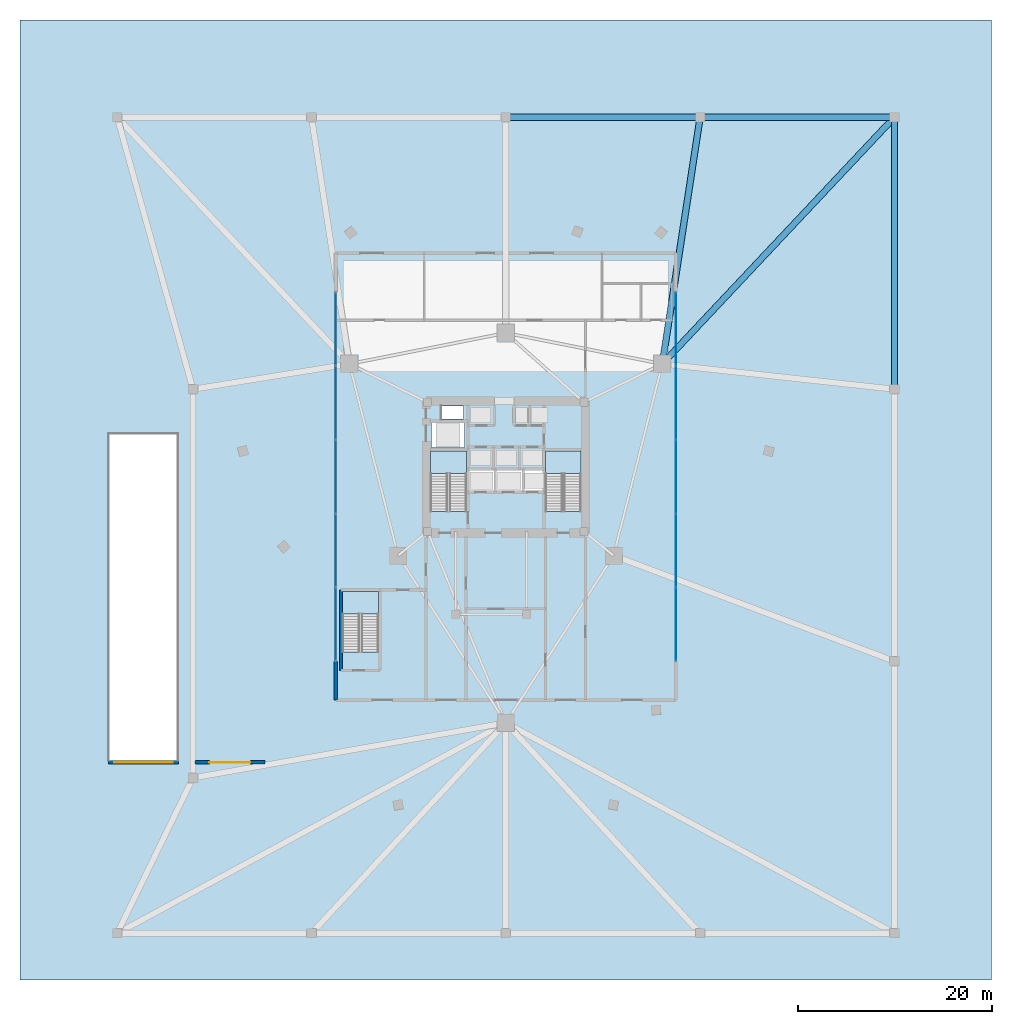
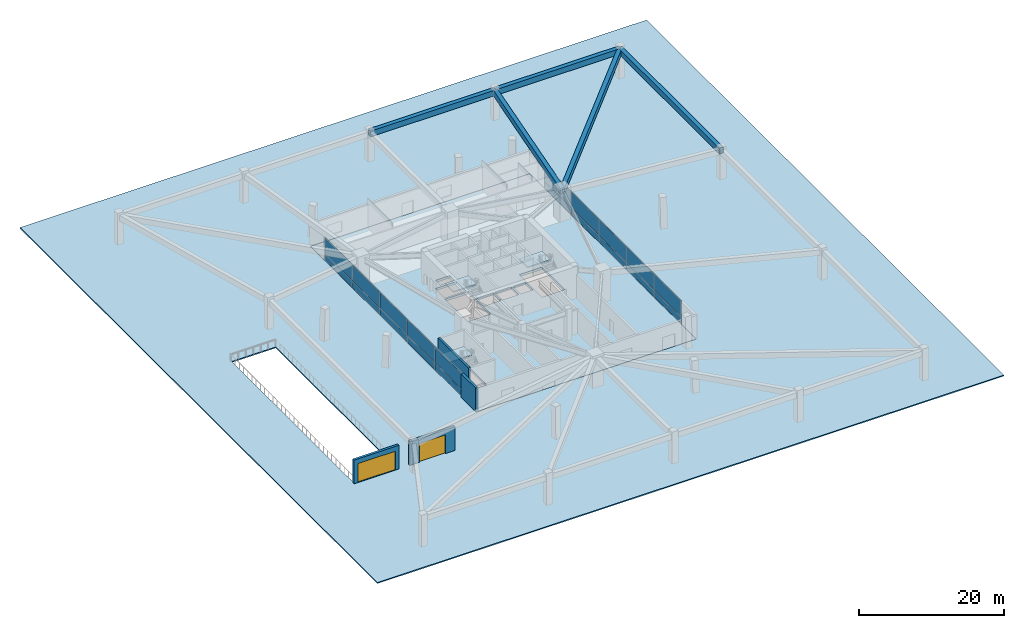
# One storey, part 11 of 19: 20 plates, 5 beams, 5 slabs, 4 walls, 2 doors, 2 openings, 5 elements without a shape of their own.
"""IFC4 building model written with IfcOpenShell, lengths in metres."""

import ifcopenshell
import ifcopenshell.guid

model = None  # the IFC model being written
_history = None  # IfcOwnerHistory: only IFC2X3 demands one
_inside = {}  # id of a spatial element -> (the spatial element, [elements in it])
_under = {}  # id of a project, library or spatial element -> (it, [spatial elements below it])
_declared = {}  # id of a project -> (the project, [libraries it declares])
_typed = {}  # id of a type object -> (the type object, [elements of that type])
_made_of = {}  # id of a material, layer set ... -> (it, [elements and type objects made of it])


def new_model(schema):
    """Start an empty IFC model of exactly this schema.

    Asked for "IFC4X3", IfcOpenShell would pick the latest addendum, in which some entities
    have other attributes; the version numbers below select the first issue.
    IFC2X3 requires an IfcOwnerHistory on every rooted entity: one is made here for all.
    """
    global model, _history
    if schema == "IFC4X3":
        model = ifcopenshell.file(schema_version=(4, 3, 0, 0))
    else:
        model = ifcopenshell.file(schema=schema)
    _inside.clear()
    _under.clear()
    _declared.clear()
    _typed.clear()
    _made_of.clear()
    _history = None
    if model.schema == "IFC2X3":
        org = make("IfcOrganization", Name="unknown")
        user = make(
            "IfcPersonAndOrganization",
            ThePerson=make("IfcPerson", FamilyName="unknown"),
            TheOrganization=org,
        )
        app = make(
            "IfcApplication",
            ApplicationDeveloper=org,
            Version="unknown",
            ApplicationFullName="unknown",
            ApplicationIdentifier="unknown",
        )
        _history = make(
            "IfcOwnerHistory",
            OwningUser=user,
            OwningApplication=app,
            ChangeAction="ADDED",
            CreationDate=0,
        )
    return model


def make(cls, **values):
    """One entity of the class cls with the attributes given. An attribute that is None is left unset."""
    return model.create_entity(
        cls, **{name: value for name, value in values.items() if value is not None}
    )


def rooted(cls, **values):
    """An entity with a GlobalId (a new one), such as an element, a storey or a relation."""
    return make(cls, GlobalId=ifcopenshell.guid.new(), OwnerHistory=_history, **values)


def si_unit(unit_type, name, prefix=None):
    """IfcSIUnit, for example si_unit("LENGTHUNIT", "METRE", prefix="MILLI")."""
    return make("IfcSIUnit", UnitType=unit_type, Prefix=prefix, Name=name)


def assignment(units):
    """IfcUnitAssignment: the units of a project."""
    return None if units is None else make("IfcUnitAssignment", Units=units)


def point(xyz):
    """IfcCartesianPoint."""
    return None if xyz is None else make("IfcCartesianPoint", Coordinates=xyz)


def direction(xyz):
    """IfcDirection."""
    return None if xyz is None else make("IfcDirection", DirectionRatios=xyz)


def frame(location, z_axis=None, x_axis=None):
    """IfcAxis2Placement3D, a coordinate frame: its origin and axes. An axis left out is left unset."""
    return make(
        "IfcAxis2Placement3D",
        Location=point(location),
        Axis=direction(z_axis),
        RefDirection=direction(x_axis),
    )


def frame_2d(location, x_axis=None):
    """IfcAxis2Placement2D, a coordinate frame in the plane: its origin and x axis."""
    return make(
        "IfcAxis2Placement2D", Location=point(location), RefDirection=direction(x_axis)
    )


def origin():
    """The frame at (0, 0, 0) with its axes left unset."""
    return frame((0.0, 0.0, 0.0))


def origin_2d():
    """The frame at (0, 0) in the plane with its x axis left unset."""
    return frame_2d((0.0, 0.0))


def place(relative_to, where):
    """IfcLocalPlacement: puts the frame where relative to a parent placement (None: the world)."""
    return make(
        "IfcLocalPlacement", PlacementRelTo=relative_to, RelativePlacement=where
    )


def context(
    kind, dimensions, precision=None, world=None, true_north=None, identifier=None
):
    """IfcGeometricRepresentationContext, for example the 3D "Model" context."""
    return make(
        "IfcGeometricRepresentationContext",
        ContextIdentifier=identifier,
        ContextType=kind,
        CoordinateSpaceDimension=dimensions,
        Precision=precision,
        WorldCoordinateSystem=world,
        TrueNorth=true_north,
    )


def subcontext(parent, identifier, kind, view, scale=None):
    """IfcGeometricRepresentationSubContext, for example "Body" below "Model"."""
    return make(
        "IfcGeometricRepresentationSubContext",
        ContextIdentifier=identifier,
        ContextType=kind,
        ParentContext=parent,
        TargetScale=scale,
        TargetView=view,
    )


def project(units=None, contexts=None):
    """IfcProject with its units and contexts."""
    return rooted(
        "IfcProject",
        Name="project",
        RepresentationContexts=contexts,
        UnitsInContext=assignment(units),
    )


def spatial(cls, under=None, at=None, **own):
    """A site, building, storey or space (cls), placed at a placement, below another one or the project."""
    s = rooted(cls, ObjectPlacement=at, **own)
    if under is not None:
        _under.setdefault(under.id(), (under, []))[1].append(s)
    return s


def polyline(points):
    """IfcPolyline through the points."""
    return make("IfcPolyline", Points=[point(p) for p in points])


def profile(cls, at=None, kind="AREA", **sizes):
    """A parametric profile (cls). Its sizes go by their IFC names, for example OverallWidth=200.0."""
    return make(cls, ProfileType=kind, Position=at, **sizes)


def rectangle(**sizes):
    """IfcRectangleProfileDef."""
    return profile("IfcRectangleProfileDef", **sizes)


def outline(outer, holes=None, kind="AREA"):
    """IfcArbitraryClosedProfileDef: a profile drawn as a closed curve; with holes, ...WithVoids."""
    if holes is None:
        return make("IfcArbitraryClosedProfileDef", ProfileType=kind, OuterCurve=outer)
    return make(
        "IfcArbitraryProfileDefWithVoids",
        ProfileType=kind,
        OuterCurve=outer,
        InnerCurves=holes,
    )


def extrude(swept, where, along, depth):
    """IfcExtrudedAreaSolid: the profile swept, set in the frame where, extruded along a direction by depth."""
    return make(
        "IfcExtrudedAreaSolid",
        SweptArea=swept,
        Position=where,
        ExtrudedDirection=direction(along),
        Depth=depth,
    )


def shape(context_of_items, identifier, shape_type, items):
    """IfcShapeRepresentation: the items that make up one representation, for example the "Body"."""
    return make(
        "IfcShapeRepresentation",
        ContextOfItems=context_of_items,
        RepresentationIdentifier=identifier,
        RepresentationType=shape_type,
        Items=items,
    )


def material(Name=None, Category=None):
    """IfcMaterial."""
    return make("IfcMaterial", Name=Name, Category=Category)


def layer(
    of_material, thickness, ventilated=None, Name=None, Category=None, Priority=None
):
    """IfcMaterialLayer: one layer of a wall or slab, of a material (None: an air gap)."""
    return make(
        "IfcMaterialLayer",
        Material=of_material,
        LayerThickness=thickness,
        IsVentilated=ventilated,
        Name=Name,
        Category=Category,
        Priority=Priority,
    )


def layer_set(layers, Name=None):
    """IfcMaterialLayerSet."""
    return make("IfcMaterialLayerSet", MaterialLayers=layers, LayerSetName=Name)


def material_profile(
    of_material, cross_section, Name=None, Category=None, Priority=None
):
    """IfcMaterialProfile: a cross section and its material."""
    return make(
        "IfcMaterialProfile",
        Name=Name,
        Material=of_material,
        Profile=cross_section,
        Priority=Priority,
        Category=Category,
    )


def profile_set(profiles, Name=None, composite=None):
    """IfcMaterialProfileSet."""
    return make(
        "IfcMaterialProfileSet",
        Name=Name,
        MaterialProfiles=profiles,
        CompositeProfile=composite,
    )


def made_of(thing, what):
    """Note that an element or type object is made of a material, layer set ...; save() writes the relation."""
    if what is not None:
        _made_of.setdefault(what.id(), (what, []))[1].append(thing)
    return thing


def type_object(cls, material=None, **own):
    """A type object (cls), such as IfcWallType, which elements share."""
    return made_of(rooted(cls, **own), material)


def element(
    cls,
    number,
    at=None,
    inside=None,
    cuts=None,
    type_object=None,
    material=None,
    context=None,
    identifier="Body",
    shape_type=None,
    held_by="IfcProductDefinitionShape",
    body=None,
    shapes=None,
    **own,
):
    """One element of the class cls, such as IfcWall. Its Tag is "e" and its number.

    at: its placement. inside: the storey or other place that contains it. cuts: it is an
    opening in that element (IfcRelVoidsElement). A single representation is given by context,
    identifier, shape_type and body (its items); several are given by shapes. held_by: the class
    of the entity that holds the representations. save() writes the other relations.
    """
    e = rooted(cls, Tag="e%d" % number, ObjectPlacement=at, **own)
    if body is not None:
        shapes = [shape(context, identifier, shape_type, body)]
    if shapes is not None:
        e.Representation = make(held_by, Representations=shapes)
    if inside is not None:
        _inside.setdefault(inside.id(), (inside, []))[1].append(e)
    if cuts is not None:
        rooted(
            "IfcRelVoidsElement", RelatingBuildingElement=cuts, RelatedOpeningElement=e
        )
    if type_object is not None:
        _typed.setdefault(type_object.id(), (type_object, []))[1].append(e)
    return made_of(e, material)


def fill(opening, filler):
    """IfcRelFillsElement: the door or window that sits in an opening."""
    return rooted(
        "IfcRelFillsElement",
        RelatingOpeningElement=opening,
        RelatedBuildingElement=filler,
    )


def aggregate(whole, parts):
    """IfcRelAggregates: a whole, such as a stair, and the parts it consists of."""
    return rooted("IfcRelAggregates", RelatingObject=whole, RelatedObjects=parts)


def save(model, path):
    """Write the relations noted so far, then the file.

    IfcRelAggregates (storeys below a building ...), IfcRelContainedInSpatialStructure (elements
    in a storey), IfcRelDefinesByType, IfcRelAssociatesMaterial and IfcRelDeclares: one each for
    every whole, place, type object, material and project.
    """
    for whole, parts in _under.values():
        aggregate(whole, parts)
    for where, things in _inside.values():
        rooted(
            "IfcRelContainedInSpatialStructure",
            RelatedElements=things,
            RelatingStructure=where,
        )
    for kind, things in _typed.values():
        rooted("IfcRelDefinesByType", RelatedObjects=things, RelatingType=kind)
    for what, things in _made_of.values():
        rooted("IfcRelAssociatesMaterial", RelatedObjects=things, RelatingMaterial=what)
    for by, libraries in _declared.values():
        rooted("IfcRelDeclares", RelatingContext=by, RelatedDefinitions=libraries)
    model.write(path)


model = new_model("IFC4")

# Units and contexts
model_context = context("Model", 3, precision=1e-05, world=origin(), true_north=direction((0.0, 1.0)))
body_context = subcontext(model_context, "Body", "Model", "MODEL_VIEW")
ifc_project = project(units=[si_unit("LENGTHUNIT", "METRE"), si_unit("AREAUNIT", "SQUARE_METRE"), si_unit("VOLUMEUNIT", "CUBIC_METRE"), si_unit("PLANEANGLEUNIT", "RADIAN"), si_unit("MASSUNIT", "GRAM", prefix="KILO")], contexts=[model_context])

# Site, building, storey
site_placement = place(None, origin())
site = spatial("IfcSite", under=ifc_project, at=site_placement, CompositionType="ELEMENT")
building_placement = place(site_placement, origin())
building = spatial("IfcBuilding", under=site, at=building_placement, Name="Talyreon Biosciences Tower", CompositionType="ELEMENT")
storey_placement = place(building_placement, origin())
storey = spatial("IfcBuildingStorey", under=building, at=storey_placement, Name="L00", CompositionType="ELEMENT", Elevation=0.0)

# Beams
ifc_material_1 = material(Name="Concrete C50/60", Category="concrete")
ifc_material_profile = material_profile(ifc_material_1, rectangle(XDim=0.64990234375, YDim=0.949951171875, at=origin_2d()), Name="RCB 650x950")
ifc_profile_set = profile_set([ifc_material_profile], Name="Concrete C50/60")
beam_type = type_object("IfcBeamType", Name="PodiumGirder_650x950", PredefinedType="T_BEAM", material=ifc_profile_set)
beam_1_placement = place(storey_placement, frame((106.0, 76.0, 4.52490234375), z_axis=(0.0, 1.0, 0.0), x_axis=(-1.0, 0.0, 0.0)))
element("IfcBeam", 1, at=beam_1_placement, inside=storey, type_object=beam_type, Name="L00 Podium Perimeter Ring Girder 07", PredefinedType="T_BEAM", context=body_context, shape_type="SweptSolid", body=[
    extrude(rectangle(XDim=0.64990234375, YDim=0.949951171875, at=origin_2d()), origin(), (0.0, 0.0, 1.0), 28.0),
])
for number, where, z_axis, x_axis, name in (
    (2, (106.0, 104.0, 4.52490234375), (-1.0, 0.0, 0.0), (0.0, -1.0, 0.0), "L00 Podium Perimeter Ring Girder 08"),
    (3, (86.0, 104.0, 4.52490234375), (-1.0, 0.0, 0.0), (0.0, -1.0, 0.0), "L00 Podium Perimeter Ring Girder 09"),
):
    element("IfcBeam", number, at=place(storey_placement, frame(where, z_axis=z_axis, x_axis=x_axis)), inside=storey, type_object=beam_type, Name=name, PredefinedType="T_BEAM", context=body_context, shape_type="SweptSolid", body=[
        extrude(rectangle(XDim=0.64990234375, YDim=0.949951171875, at=origin_2d()), origin(), (0.0, 0.0, 1.0), 20.0),
    ])
beam_2_placement = place(storey_placement, frame((82.102294921875, 78.5986328125, 4.52490234375), z_axis=(0.685220788465, 0.728335411095, 0.0), x_axis=(-0.728335411095, 0.685220788465, 0.0)))
element("IfcBeam", 4, at=beam_2_placement, inside=storey, type_object=beam_type, Name="L00 Podium Radial Tie Girder PDC08", PredefinedType="T_BEAM", context=body_context, shape_type="SweptSolid", body=[
    extrude(rectangle(XDim=0.64990234375, YDim=0.949951171875, at=origin_2d()), origin(), (0.0, 0.0, 1.0), 34.8759765625),
])
beam_3_placement = place(storey_placement, frame((82.102294921875, 78.5986328125, 4.52490234375), z_axis=(0.151669534412, 0.988431258273, 0.0), x_axis=(-0.988431258273, 0.151669534412, 0.0)))
element("IfcBeam", 5, at=beam_3_placement, inside=storey, type_object=beam_type, Name="L00 Podium Radial Tie Girder PDC09", PredefinedType="T_BEAM", context=body_context, shape_type="SweptSolid", body=[
    extrude(rectangle(XDim=0.64990234375, YDim=0.949951171875, at=origin_2d()), origin(), (0.0, 0.0, 1.0), 25.69873046875),
])

# Curtain wall, plates
ifc_material_2 = material(Name="Thermally broken aluminium and low-E glazing", Category="aluminium")
ifc_layer_1 = layer(ifc_material_2, 0.219970703125)
ifc_layer_set_1 = layer_set([ifc_layer_1], Name="Thermally broken aluminium and low-E glazing")
curtain_wall_type = type_object("IfcCurtainWallType", Name="CurtainWall_PodiumDoubleHeight", PredefinedType="NOTDEFINED", material=ifc_layer_set_1)
curtain_wall_1_placement = place(storey_placement, origin())
curtain_wall_1 = element("IfcCurtainWall", 6, at=curtain_wall_1_placement, inside=storey, type_object=curtain_wall_type, Name="L00 Unitised Curtain Wall FCW-L00-E", PredefinedType="NOTDEFINED")
ifc_material_3 = material(Name="Acoustic laminated low-E insulated glazing", Category="glass")
ifc_layer_2 = layer(ifc_material_3, 0.0380859375)
ifc_layer_set_2 = layer_set([ifc_layer_2], Name="Acoustic laminated low-E insulated glazing")
plate_type = type_object("IfcPlateType", Name="CWGlazingPanel_38", PredefinedType="CURTAIN_PANEL", material=ifc_layer_set_2)
plate_1_placement = place(storey_placement, frame((83.5, 82.18115234375, 0.06494140625), z_axis=(0.0, 0.0, 1.0), x_axis=(0.0, -1.0, 0.0)))
plate_1 = element("IfcPlate", 7, at=plate_1_placement, type_object=plate_type, Name="CW1 panel 1.1", PredefinedType="CURTAIN_PANEL", context=body_context, shape_type="SweptSolid", body=[
    extrude(rectangle(XDim=7.487548828125, YDim=0.0380859375, at=origin_2d()), origin(), (0.0, 0.0, 1.0), 1.1025390625),
])
plate_2_placement = place(storey_placement, frame((83.5, 82.18115234375, 1.232421875), z_axis=(0.0, 0.0, 1.0), x_axis=(0.0, -1.0, 0.0)))
plate_2 = element("IfcPlate", 8, at=plate_2_placement, type_object=plate_type, Name="CW1 panel 1.2", PredefinedType="CURTAIN_PANEL", context=body_context, shape_type="SweptSolid", body=[
    extrude(rectangle(XDim=7.487548828125, YDim=0.0380859375, at=origin_2d()), origin(), (0.0, 0.0, 1.0), 2.732421875),
])
plate_3_placement = place(storey_placement, frame((83.5, 74.60009765625, 0.06494140625), z_axis=(0.0, 0.0, 1.0), x_axis=(0.0, -1.0, 0.0)))
plate_3 = element("IfcPlate", 9, at=plate_3_placement, type_object=plate_type, Name="CW1 panel 2.1", PredefinedType="CURTAIN_PANEL", context=body_context, shape_type="SweptSolid", body=[
    extrude(rectangle(XDim=7.52490234375, YDim=0.0380859375, at=origin_2d()), origin(), (0.0, 0.0, 1.0), 1.1025390625),
])
plate_4_placement = place(storey_placement, frame((83.5, 74.60009765625, 1.232421875), z_axis=(0.0, 0.0, 1.0), x_axis=(0.0, -1.0, 0.0)))
plate_4 = element("IfcPlate", 10, at=plate_4_placement, type_object=plate_type, Name="CW1 panel 2.2", PredefinedType="CURTAIN_PANEL", context=body_context, shape_type="SweptSolid", body=[
    extrude(rectangle(XDim=7.52490234375, YDim=0.0380859375, at=origin_2d()), origin(), (0.0, 0.0, 1.0), 2.732421875),
])
plate_5_placement = place(storey_placement, frame((83.5, 67.0, 0.06494140625), z_axis=(0.0, 0.0, 1.0), x_axis=(0.0, -1.0, 0.0)))
plate_5 = element("IfcPlate", 11, at=plate_5_placement, type_object=plate_type, Name="CW1 panel 3.1", PredefinedType="CURTAIN_PANEL", context=body_context, shape_type="SweptSolid", body=[
    extrude(rectangle(XDim=7.52490234375, YDim=0.0380859375, at=origin_2d()), origin(), (0.0, 0.0, 1.0), 1.1025390625),
])
plate_6_placement = place(storey_placement, frame((83.5, 67.0, 1.232421875), z_axis=(0.0, 0.0, 1.0), x_axis=(0.0, -1.0, 0.0)))
plate_6 = element("IfcPlate", 12, at=plate_6_placement, type_object=plate_type, Name="CW1 panel 3.2", PredefinedType="CURTAIN_PANEL", context=body_context, shape_type="SweptSolid", body=[
    extrude(rectangle(XDim=7.52490234375, YDim=0.0380859375, at=origin_2d()), origin(), (0.0, 0.0, 1.0), 2.732421875),
])
plate_7_placement = place(storey_placement, frame((83.5, 59.39990234375, 0.06494140625), z_axis=(0.0, 0.0, 1.0), x_axis=(0.0, -1.0, 0.0)))
plate_7 = element("IfcPlate", 13, at=plate_7_placement, type_object=plate_type, Name="CW1 panel 4.1", PredefinedType="CURTAIN_PANEL", context=body_context, shape_type="SweptSolid", body=[
    extrude(rectangle(XDim=7.52490234375, YDim=0.0380859375, at=origin_2d()), origin(), (0.0, 0.0, 1.0), 1.1025390625),
])
plate_8_placement = place(storey_placement, frame((83.5, 59.39990234375, 1.232421875), z_axis=(0.0, 0.0, 1.0), x_axis=(0.0, -1.0, 0.0)))
plate_8 = element("IfcPlate", 14, at=plate_8_placement, type_object=plate_type, Name="CW1 panel 4.2", PredefinedType="CURTAIN_PANEL", context=body_context, shape_type="SweptSolid", body=[
    extrude(rectangle(XDim=7.52490234375, YDim=0.0380859375, at=origin_2d()), origin(), (0.0, 0.0, 1.0), 2.732421875),
])
plate_9_placement = place(storey_placement, frame((83.5, 51.81884765625, 0.06494140625), z_axis=(0.0, 0.0, 1.0), x_axis=(0.0, -1.0, 0.0)))
plate_9 = element("IfcPlate", 15, at=plate_9_placement, type_object=plate_type, Name="CW1 panel 5.1", PredefinedType="CURTAIN_PANEL", context=body_context, shape_type="SweptSolid", body=[
    extrude(rectangle(XDim=7.487548828125, YDim=0.0380859375, at=origin_2d()), origin(), (0.0, 0.0, 1.0), 1.1025390625),
])
plate_10_placement = place(storey_placement, frame((83.5, 51.81884765625, 1.232421875), z_axis=(0.0, 0.0, 1.0), x_axis=(0.0, -1.0, 0.0)))
plate_10 = element("IfcPlate", 16, at=plate_10_placement, type_object=plate_type, Name="CW1 panel 5.2", PredefinedType="CURTAIN_PANEL", context=body_context, shape_type="SweptSolid", body=[
    extrude(rectangle(XDim=7.487548828125, YDim=0.0380859375, at=origin_2d()), origin(), (0.0, 0.0, 1.0), 2.732421875),
])
aggregate(curtain_wall_1, [plate_1, plate_2, plate_3, plate_4, plate_5, plate_6, plate_7, plate_8, plate_9, plate_10])

curtain_wall_2_placement = place(storey_placement, origin())
curtain_wall_2 = element("IfcCurtainWall", 17, at=curtain_wall_2_placement, inside=storey, type_object=curtain_wall_type, Name="L00 Unitised Curtain Wall FCW-L00-W", PredefinedType="NOTDEFINED")
plate_11_placement = place(storey_placement, frame((48.5, 51.81884765625, 0.06494140625), z_axis=(0.0, 0.0, 1.0), x_axis=(0.0, 1.0, 0.0)))
plate_11 = element("IfcPlate", 18, at=plate_11_placement, type_object=plate_type, Name="CW1 panel 1.1", PredefinedType="CURTAIN_PANEL", context=body_context, shape_type="SweptSolid", body=[
    extrude(rectangle(XDim=7.487548828125, YDim=0.0380859375, at=origin_2d()), origin(), (0.0, 0.0, 1.0), 1.1025390625),
])
plate_12_placement = place(storey_placement, frame((48.5, 51.81884765625, 1.232421875), z_axis=(0.0, 0.0, 1.0), x_axis=(0.0, 1.0, 0.0)))
plate_12 = element("IfcPlate", 19, at=plate_12_placement, type_object=plate_type, Name="CW1 panel 1.2", PredefinedType="CURTAIN_PANEL", context=body_context, shape_type="SweptSolid", body=[
    extrude(rectangle(XDim=7.487548828125, YDim=0.0380859375, at=origin_2d()), origin(), (0.0, 0.0, 1.0), 2.732421875),
])
plate_13_placement = place(storey_placement, frame((48.5, 59.39990234375, 0.06494140625), z_axis=(0.0, 0.0, 1.0), x_axis=(0.0, 1.0, 0.0)))
plate_13 = element("IfcPlate", 20, at=plate_13_placement, type_object=plate_type, Name="CW1 panel 2.1", PredefinedType="CURTAIN_PANEL", context=body_context, shape_type="SweptSolid", body=[
    extrude(rectangle(XDim=7.52490234375, YDim=0.0380859375, at=origin_2d()), origin(), (0.0, 0.0, 1.0), 1.1025390625),
])
plate_14_placement = place(storey_placement, frame((48.5, 59.39990234375, 1.232421875), z_axis=(0.0, 0.0, 1.0), x_axis=(0.0, 1.0, 0.0)))
plate_14 = element("IfcPlate", 21, at=plate_14_placement, type_object=plate_type, Name="CW1 panel 2.2", PredefinedType="CURTAIN_PANEL", context=body_context, shape_type="SweptSolid", body=[
    extrude(rectangle(XDim=7.52490234375, YDim=0.0380859375, at=origin_2d()), origin(), (0.0, 0.0, 1.0), 2.732421875),
])
plate_15_placement = place(storey_placement, frame((48.5, 67.0, 0.06494140625), z_axis=(0.0, 0.0, 1.0), x_axis=(0.0, 1.0, 0.0)))
plate_15 = element("IfcPlate", 22, at=plate_15_placement, type_object=plate_type, Name="CW1 panel 3.1", PredefinedType="CURTAIN_PANEL", context=body_context, shape_type="SweptSolid", body=[
    extrude(rectangle(XDim=7.52490234375, YDim=0.0380859375, at=origin_2d()), origin(), (0.0, 0.0, 1.0), 1.1025390625),
])
plate_16_placement = place(storey_placement, frame((48.5, 67.0, 1.232421875), z_axis=(0.0, 0.0, 1.0), x_axis=(0.0, 1.0, 0.0)))
plate_16 = element("IfcPlate", 23, at=plate_16_placement, type_object=plate_type, Name="CW1 panel 3.2", PredefinedType="CURTAIN_PANEL", context=body_context, shape_type="SweptSolid", body=[
    extrude(rectangle(XDim=7.52490234375, YDim=0.0380859375, at=origin_2d()), origin(), (0.0, 0.0, 1.0), 2.732421875),
])
plate_17_placement = place(storey_placement, frame((48.5, 74.60009765625, 0.06494140625), z_axis=(0.0, 0.0, 1.0), x_axis=(0.0, 1.0, 0.0)))
plate_17 = element("IfcPlate", 24, at=plate_17_placement, type_object=plate_type, Name="CW1 panel 4.1", PredefinedType="CURTAIN_PANEL", context=body_context, shape_type="SweptSolid", body=[
    extrude(rectangle(XDim=7.52490234375, YDim=0.0380859375, at=origin_2d()), origin(), (0.0, 0.0, 1.0), 1.1025390625),
])
plate_18_placement = place(storey_placement, frame((48.5, 74.60009765625, 1.232421875), z_axis=(0.0, 0.0, 1.0), x_axis=(0.0, 1.0, 0.0)))
plate_18 = element("IfcPlate", 25, at=plate_18_placement, type_object=plate_type, Name="CW1 panel 4.2", PredefinedType="CURTAIN_PANEL", context=body_context, shape_type="SweptSolid", body=[
    extrude(rectangle(XDim=7.52490234375, YDim=0.0380859375, at=origin_2d()), origin(), (0.0, 0.0, 1.0), 2.732421875),
])
plate_19_placement = place(storey_placement, frame((48.5, 82.18115234375, 0.06494140625), z_axis=(0.0, 0.0, 1.0), x_axis=(0.0, 1.0, 0.0)))
plate_19 = element("IfcPlate", 26, at=plate_19_placement, type_object=plate_type, Name="CW1 panel 5.1", PredefinedType="CURTAIN_PANEL", context=body_context, shape_type="SweptSolid", body=[
    extrude(rectangle(XDim=7.487548828125, YDim=0.0380859375, at=origin_2d()), origin(), (0.0, 0.0, 1.0), 1.1025390625),
])
plate_20_placement = place(storey_placement, frame((48.5, 82.18115234375, 1.232421875), z_axis=(0.0, 0.0, 1.0), x_axis=(0.0, 1.0, 0.0)))
plate_20 = element("IfcPlate", 27, at=plate_20_placement, type_object=plate_type, Name="CW1 panel 5.2", PredefinedType="CURTAIN_PANEL", context=body_context, shape_type="SweptSolid", body=[
    extrude(rectangle(XDim=7.487548828125, YDim=0.0380859375, at=origin_2d()), origin(), (0.0, 0.0, 1.0), 2.732421875),
])
aggregate(curtain_wall_2, [plate_11, plate_12, plate_13, plate_14, plate_15, plate_16, plate_17, plate_18, plate_19, plate_20])

# Slab
ifc_material_4 = material(Name="Granite stone paving on Concrete C40/50", Category="masonry")
ifc_layer_3 = layer(ifc_material_4, 0.179931640625)
ifc_layer_set_3 = layer_set([ifc_layer_3], Name="Granite stone paving on Concrete C40/50")
slab_type_1 = type_object("IfcSlabType", Name="PilotisPlazaPaving_180", PredefinedType="USERDEFINED", material=ifc_layer_set_3)
slab_1_placement = place(storey_placement, frame((0.0, 0.0, -0.179931640625)))
element("IfcSlab", 28, at=slab_1_placement, inside=storey, type_object=slab_type_1, Name="L00 Open Pilotis Public Plaza Paving", ObjectType="PAVING", PredefinedType="USERDEFINED", context=body_context, shape_type="SweptSolid", body=[
    extrude(outline(polyline([(16.0, 15.199951171875), (116.0, 15.199951171875), (116.0, 114.0), (16.0, 114.0), (16.0, 15.199951171875)]), holes=[polyline([(48.5, 44.0), (83.5, 44.0), (83.5, 90.0), (48.5, 90.0), (48.5, 44.0)]), polyline([(25.199951171875, 37.800048828125), (32.199951171875, 37.800048828125), (32.199951171875, 71.39990234375), (25.199951171875, 71.39990234375), (25.199951171875, 37.800048828125)])]), origin(), (0.0, 0.0, 1.0), 0.179931640625),
])

# Stair, slab
ifc_material_5 = material(Name="Concrete C40/50", Category="concrete")
stair_type = type_object("IfcStairType", Name="DoglegEscapeStair_5400", PredefinedType="HALF_TURN_STAIR", material=ifc_material_5)
stair_1_placement = place(storey_placement, origin())
stair_1 = element("IfcStair", 29, at=stair_1_placement, inside=storey, type_object=stair_type, Name="L00 Core Escape Stair 1", PredefinedType="HALF_TURN_STAIR")
ifc_layer_4 = layer(ifc_material_5, 0.199951171875)
ifc_layer_set_4 = layer_set([ifc_layer_4], Name="Concrete C40/50")
slab_type_2 = type_object("IfcSlabType", Name="StairLandingSlab_200", PredefinedType="LANDING", material=ifc_layer_set_4)
slab_2_placement = place(storey_placement, frame((0.0, 0.0, 2.5)))
slab_2 = element("IfcSlab", 30, at=slab_2_placement, type_object=slab_type_2, Name="ST-1 landing 1", PredefinedType="LANDING", context=body_context, shape_type="SweptSolid", body=[
    extrude(outline(polyline([(61.929931640625, 67.320068359375), (61.929931640625, 69.64990234375), (58.25, 69.64990234375), (58.25, 67.320068359375), (61.929931640625, 67.320068359375)])), origin(), (0.0, 0.0, 1.0), 0.199951171875),
])
aggregate(stair_1, [slab_2])

stair_2_placement = place(storey_placement, origin())
stair_2 = element("IfcStair", 31, at=stair_2_placement, inside=storey, type_object=stair_type, Name="L00 Core Escape Stair 2", PredefinedType="HALF_TURN_STAIR")
slab_3_placement = place(storey_placement, frame((0.0, 0.0, 2.5)))
slab_3 = element("IfcSlab", 32, at=slab_3_placement, type_object=slab_type_2, Name="ST-2 landing 1", PredefinedType="LANDING", context=body_context, shape_type="SweptSolid", body=[
    extrude(outline(polyline([(73.75, 67.320068359375), (73.75, 69.64990234375), (70.070068359375, 69.64990234375), (70.070068359375, 67.320068359375), (73.75, 67.320068359375)])), origin(), (0.0, 0.0, 1.0), 0.199951171875),
])
aggregate(stair_2, [slab_3])

stair_3_placement = place(storey_placement, origin())
stair_3 = element("IfcStair", 33, at=stair_3_placement, inside=storey, type_object=stair_type, Name="L00 Podium Escape Stair 3", PredefinedType="HALF_TURN_STAIR")
slab_4_placement = place(storey_placement, frame((0.0, 0.0, 2.5)))
slab_4 = element("IfcSlab", 34, at=slab_4_placement, type_object=slab_type_2, Name="ST-3 landing 1", PredefinedType="LANDING", context=body_context, shape_type="SweptSolid", body=[
    extrude(outline(polyline([(52.8798828125, 52.8701171875), (52.8798828125, 55.199951171875), (49.199951171875, 55.199951171875), (49.199951171875, 52.8701171875), (52.8798828125, 52.8701171875)])), origin(), (0.0, 0.0, 1.0), 0.199951171875),
])
aggregate(stair_3, [slab_4])

# Slab
ifc_layer_5 = layer(ifc_material_1, 0.39990234375)
ifc_layer_set_5 = layer_set([ifc_layer_5], Name="Concrete C50/60")
slab_type_3 = type_object("IfcSlabType", Name="TransferDeckSlab_400", PredefinedType="FLOOR", material=ifc_layer_set_5)
slab_5_placement = place(storey_placement, frame((0.0, 0.0, -0.39990234375)))
element("IfcSlab", 35, at=slab_5_placement, inside=storey, type_object=slab_type_3, Name="L00 Structural Floor Slab", PredefinedType="FLOOR", context=body_context, shape_type="SweptSolid", body=[
    extrude(outline(polyline([(48.5, 44.0), (83.5, 44.0), (83.5, 90.0), (48.5, 90.0), (48.5, 44.0)]), holes=[polyline([(52.8798828125, 55.199951171875), (52.8798828125, 48.9580078125), (49.199951171875, 48.9580078125), (49.199951171875, 55.199951171875), (52.8798828125, 55.199951171875)]), polyline([(61.929931640625, 69.64990234375), (61.929931640625, 63.407958984375), (58.25, 63.407958984375), (58.25, 69.64990234375), (61.929931640625, 69.64990234375)]), polyline([(73.75, 69.64990234375), (73.75, 63.407958984375), (70.070068359375, 63.407958984375), (70.070068359375, 69.64990234375), (73.75, 69.64990234375)]), polyline([(64.800048828125, 67.64990234375), (64.800048828125, 65.550048828125), (62.199951171875, 65.550048828125), (62.199951171875, 67.64990234375), (64.800048828125, 67.64990234375)]), polyline([(67.64990234375, 67.64990234375), (67.64990234375, 65.550048828125), (65.050048828125, 65.550048828125), (65.050048828125, 67.64990234375), (67.64990234375, 67.64990234375)]), polyline([(69.89990234375, 67.64990234375), (69.89990234375, 65.550048828125), (67.89990234375, 65.550048828125), (67.89990234375, 67.64990234375), (69.89990234375, 67.64990234375)]), polyline([(61.75, 72.550048828125), (61.75, 69.97998046875), (58.35009765625, 69.97998046875), (58.35009765625, 72.550048828125), (61.75, 72.550048828125)]), polyline([(61.64990234375, 74.25), (61.64990234375, 72.9599609375), (59.39990234375, 72.9599609375), (59.39990234375, 74.25), (61.64990234375, 74.25)])]), origin(), (0.0, 0.0, 1.0), 0.39990234375),
])

# Wall
ifc_layer_6 = layer(ifc_material_1, 0.320068359375)
ifc_layer_set_6 = layer_set([ifc_layer_6], Name="Concrete C50/60")
wall_type_1 = type_object("IfcWallType", Name="CoreShearWall_320", PredefinedType="SHEAR", material=ifc_layer_set_6)
wall_1_placement = place(storey_placement, frame((49.0400390625, 47.0400390625, 0.0), z_axis=(0.0, 0.0, 1.0), x_axis=(0.0, 1.0, 0.0)))
element("IfcWall", 36, at=wall_1_placement, inside=storey, type_object=wall_type_1, Name="L00 Stair ST-3 Structural Wall W", PredefinedType="SHEAR", context=body_context, shape_type="SweptSolid", body=[
    extrude(rectangle(XDim=8.320068359375, YDim=0.320068359375, at=frame_2d((4.16015625, 0.0))), origin(), (0.0, 0.0, 1.0), 5.39990234375),
])

# Wall, opening, door
ifc_material_6 = material(Name="Precast concrete C45/55", Category="concrete")
ifc_layer_7 = layer(ifc_material_6, 0.3798828125)
ifc_layer_set_7 = layer_set([ifc_layer_7], Name="Precast concrete C45/55")
wall_type_2 = type_object("IfcWallType", Name="PrecastConcretePodiumWall_380", PredefinedType="STANDARD", material=ifc_layer_set_7)
wall_2_placement = place(storey_placement, frame((32.300048828125, 37.60009765625, 0.0), z_axis=(0.0, 0.0, 1.0), x_axis=(-1.0, 0.0, 0.0)))
wall_2 = element("IfcWall", 37, at=wall_2_placement, inside=storey, type_object=wall_type_2, Name="L00 Vehicle Ramp Portal Wall VG-L00-01", PredefinedType="STANDARD", context=body_context, shape_type="SweptSolid", body=[
    extrude(rectangle(XDim=7.199951171875, YDim=0.3798828125, at=frame_2d((3.60009765625, 0.0))), origin(), (0.0, 0.0, 1.0), 4.0),
])
opening_1_placement = place(wall_2_placement, frame((0.60009765625, 0.0, 0.0)))
opening_1 = element("IfcOpeningElement", 38, at=opening_1_placement, cuts=wall_2, Name="Opening VG-L00-01", PredefinedType="OPENING", context=body_context, shape_type="SweptSolid", body=[
    extrude(rectangle(XDim=6.0, YDim=3.199951171875, at=frame_2d((3.0, 1.60009765625))), frame((0.0, 0.199951171875, 0.0), z_axis=(0.0, -1.0, 0.0), x_axis=(1.0, 0.0, 0.0)), (0.0, 0.0, 1.0), 0.39990234375),
])
ifc_material_7 = material(Name="Motorised insulated steel roller shutter gate", Category="steel")
door_type_1 = type_object("IfcDoorType", Name="VehicleRollerShutterGate_6000x3200", OperationType="ROLLINGUP", PredefinedType="GATE", material=ifc_material_7)
door_1_placement = place(opening_1_placement, origin())
door_1 = element("IfcDoor", 39, at=door_1_placement, inside=storey, type_object=door_type_1, Name="L00 Roller Shutter Gate VG-L00-01", OperationType="ROLLINGUP", OverallHeight=3.199951171875, OverallWidth=6.0, PredefinedType="GATE", context=body_context, shape_type="SweptSolid", body=[
    extrude(rectangle(XDim=6.0, YDim=3.199951171875, at=frame_2d((3.0, 1.60009765625))), frame((0.0, 0.02490234375, 0.0), z_axis=(0.0, -1.0, 0.0), x_axis=(1.0, 0.0, 0.0)), (0.0, 0.0, 1.0), 0.050048828125),
])
fill(opening_1, door_1)

wall_3_placement = place(storey_placement, frame((41.199951171875, 37.60009765625, 0.0), z_axis=(0.0, 0.0, 1.0), x_axis=(-1.0, 0.0, 0.0)))
wall_3 = element("IfcWall", 40, at=wall_3_placement, inside=storey, type_object=wall_type_2, Name="L00 Vehicle Ramp Portal Wall VG-L00-02", PredefinedType="STANDARD", context=body_context, shape_type="SweptSolid", body=[
    extrude(rectangle(XDim=7.199951171875, YDim=0.3798828125, at=frame_2d((3.60009765625, 0.0))), origin(), (0.0, 0.0, 1.0), 4.0),
])
opening_2_placement = place(wall_3_placement, frame((1.5, 0.0, 0.0)))
opening_2 = element("IfcOpeningElement", 41, at=opening_2_placement, cuts=wall_3, Name="Opening VG-L00-02", PredefinedType="OPENING", context=body_context, shape_type="SweptSolid", body=[
    extrude(rectangle(XDim=4.199951171875, YDim=3.14990234375, at=frame_2d((2.10009765625, 1.574951171875))), frame((0.0, 0.199951171875, 0.0), z_axis=(0.0, -1.0, 0.0), x_axis=(1.0, 0.0, 0.0)), (0.0, 0.0, 1.0), 0.39990234375),
])
ifc_material_8 = material(Name="Motorised insulated steel loading shutter gate", Category="steel")
door_type_2 = type_object("IfcDoorType", Name="LoadingBayShutterGate_4200x3150", OperationType="ROLLINGUP", PredefinedType="GATE", material=ifc_material_8)
door_2_placement = place(opening_2_placement, origin())
door_2 = element("IfcDoor", 42, at=door_2_placement, inside=storey, type_object=door_type_2, Name="L00 Roller Shutter Gate VG-L00-02", OperationType="ROLLINGUP", OverallHeight=3.14990234375, OverallWidth=4.199951171875, PredefinedType="GATE", context=body_context, shape_type="SweptSolid", body=[
    extrude(rectangle(XDim=4.199951171875, YDim=3.14990234375, at=frame_2d((2.10009765625, 1.574951171875))), frame((0.0, 0.02490234375, 0.0), z_axis=(0.0, -1.0, 0.0), x_axis=(1.0, 0.0, 0.0)), (0.0, 0.0, 1.0), 0.050048828125),
])
fill(opening_2, door_2)

# Wall
wall_4_placement = place(storey_placement, frame((48.5, 44.0, 0.0), z_axis=(0.0, 0.0, 1.0), x_axis=(0.0, 1.0, 0.0)))
element("IfcWall", 43, at=wall_4_placement, inside=storey, type_object=wall_type_2, Name="L00 Corner Pier WA", PredefinedType="STANDARD", context=body_context, shape_type="SweptSolid", body=[
    extrude(rectangle(XDim=4.0, YDim=0.3798828125, at=frame_2d((2.0, 0.0))), origin(), (0.0, 0.0, 1.0), 4.030029296875),
])

save(model, "model.ifc")
